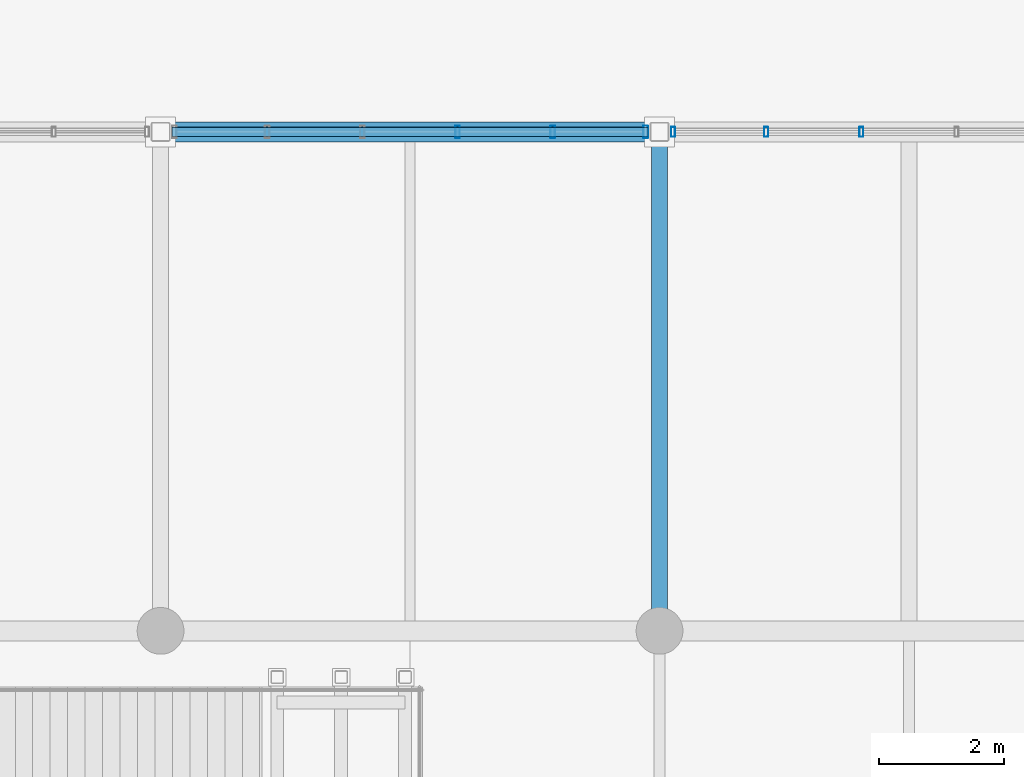
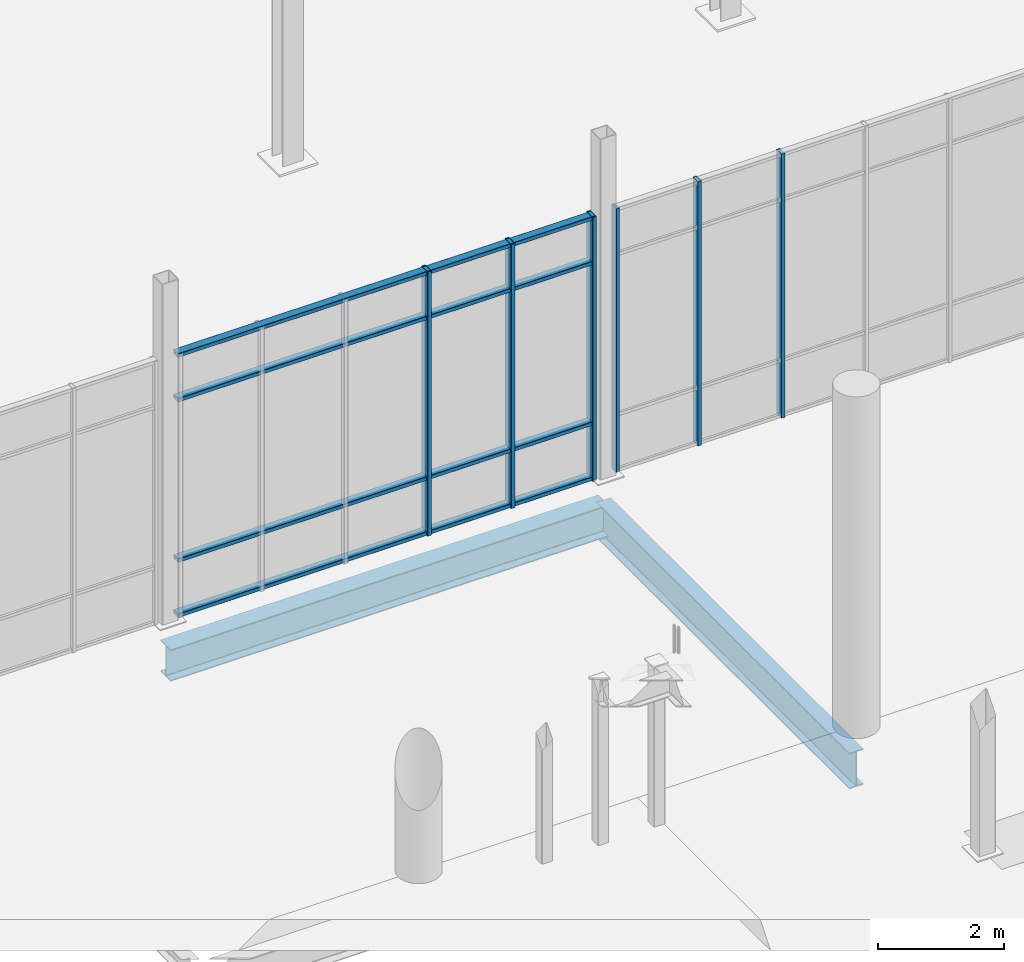
# One storey, part 37 of 140: 10 members, 2 beams, 2 elements without a shape of their own.
"""IFC4 building model written with IfcOpenShell, lengths in metres."""

from ifc_helpers import new_model, si_unit, direction, frame, origin, origin_2d, place, context, subcontext, project, spatial, hollow_rectangle, i_section, extrude, material, material_profile, profile_set, type_object, element, aggregate, save


model = new_model("IFC4")

# Units and contexts
model_context = context("Model", 3, precision=1e-05, world=origin(), true_north=direction((0.0, 1.0)))
body_context = subcontext(model_context, "Body", "Model", "MODEL_VIEW")
ifc_project = project(units=[si_unit("LENGTHUNIT", "METRE"), si_unit("AREAUNIT", "SQUARE_METRE"), si_unit("VOLUMEUNIT", "CUBIC_METRE"), si_unit("PLANEANGLEUNIT", "RADIAN"), si_unit("MASSUNIT", "GRAM", prefix="KILO")], contexts=[model_context])

# Site, building, storey
site_placement = place(None, origin())
site = spatial("IfcSite", under=ifc_project, at=site_placement, CompositionType="ELEMENT")
building_placement = place(site_placement, origin())
building = spatial("IfcBuilding", under=site, at=building_placement, Name="Verrall Gate Interchange", CompositionType="ELEMENT")
storey_placement = place(building_placement, origin())
storey = spatial("IfcBuildingStorey", under=building, at=storey_placement, Name="L01", CompositionType="ELEMENT", Elevation=0.0)

# Beams
ifc_material_1 = material(Name="Structural Steel CSA G40.21 350WT Cat 4", Category="steel")
ifc_material_profile_1 = material_profile(ifc_material_1, i_section(OverallWidth=0.256103515625, OverallDepth=0.693115234375, WebThickness=0.01318359375, FlangeThickness=0.02001953125, FilletRadius=0.01611328125, at=origin_2d()), Name="W690x170")
ifc_profile_set_1 = profile_set([ifc_material_profile_1], Name="Structural Steel CSA G40.21 350WT Cat 4")
beam_type_1 = type_object("IfcBeamType", Name="B-07 Structural Beam W690x170", PredefinedType="BEAM", material=ifc_profile_set_1)
beam_1_placement = place(storey_placement, frame((76.0, 48.0, -0.846435546875), z_axis=(0.0, 1.0, 0.0), x_axis=(-1.0, 0.0, 0.0)))
element("IfcBeam", 1, at=beam_1_placement, inside=storey, type_object=beam_type_1, Name="L01 Girder BM-L01-1136 (B-07)", PredefinedType="BEAM", context=body_context, shape_type="SweptSolid", body=[
    extrude(i_section(OverallWidth=0.256103515625, OverallDepth=0.693115234375, WebThickness=0.01318359375, FlangeThickness=0.02001953125, FilletRadius=0.01611328125, at=origin_2d()), origin(), (0.0, 0.0, 1.0), 8.0),
])
ifc_material_2 = material(Name="Structural Steel CSA G40.21 350WT Cat 4", Category="steel")
ifc_material_profile_2 = material_profile(ifc_material_2, i_section(OverallWidth=0.323974609375, OverallDepth=0.611083984375, WebThickness=0.0126953125, FlangeThickness=0.01904296875, FilletRadius=0.014892578125, at=origin_2d()), Name="W610x155")
ifc_profile_set_2 = profile_set([ifc_material_profile_2], Name="Structural Steel CSA G40.21 350WT Cat 4")
beam_type_2 = type_object("IfcBeamType", Name="B-08 Structural Beam W610x155", PredefinedType="BEAM", material=ifc_profile_set_2)
beam_2_placement = place(storey_placement, frame((68.0, 56.0, -0.805419921875), z_axis=(1.0, 0.0, 0.0), x_axis=(0.0, 1.0, 0.0)))
element("IfcBeam", 2, at=beam_2_placement, inside=storey, type_object=beam_type_2, Name="L01 Girder BM-L01-0943 (B-08)", PredefinedType="BEAM", context=body_context, shape_type="SweptSolid", body=[
    extrude(i_section(OverallWidth=0.323974609375, OverallDepth=0.611083984375, WebThickness=0.0126953125, FlangeThickness=0.01904296875, FilletRadius=0.014892578125, at=origin_2d()), origin(), (0.0, 0.0, 1.0), 8.0),
])

# Curtain wall, members
ifc_material_3 = material(Name="Thermally Broken Anodized Aluminium Curtain Wall Framing", Category="aluminium")
curtain_wall_type = type_object("IfcCurtainWallType", Name="CW-06 Unitized Curtain Wall 7631x5100", PredefinedType="NOTDEFINED", material=ifc_material_3)
curtain_wall_1_placement = place(storey_placement, origin())
curtain_wall_1 = element("IfcCurtainWall", 3, at=curtain_wall_1_placement, inside=storey, type_object=curtain_wall_type, Name="L01 Unitized Curtain Wall CW-L01-018", PredefinedType="NOTDEFINED")
ifc_material_4 = material(Name="Thermally Broken Anodized Aluminium Curtain Wall Framing", Category="aluminium")
ifc_material_profile_3 = material_profile(ifc_material_4, hollow_rectangle(XDim=0.06494140625, YDim=0.159912109375, WallThickness=0.00390625, InnerFilletRadius=0.00390625, OuterFilletRadius=0.008056640625, at=origin_2d()), Name="CWM160x65x4")
ifc_profile_set_3 = profile_set([ifc_material_profile_3], Name="Thermally Broken Anodized Aluminium Curtain Wall Framing")
member_type_1 = type_object("IfcMemberType", Name="CM-01 Curtain Mullion CWM160x65x4", PredefinedType="MULLION", material=ifc_profile_set_3)
member_1_placement = place(storey_placement, frame((79.23681640625, 56.0, 0.0), z_axis=(0.0, 0.0, 1.0), x_axis=(-1.0, 0.0, 0.0)))
member_1 = element("IfcMember", 4, at=member_1_placement, type_object=member_type_1, Name="CW-L01-018 Mullion 4", PredefinedType="MULLION", context=body_context, shape_type="SweptSolid", body=[
    extrude(hollow_rectangle(XDim=0.06494140625, YDim=0.159912109375, WallThickness=0.00390625, InnerFilletRadius=0.00390625, OuterFilletRadius=0.008056640625, at=origin_2d()), origin(), (0.0, 0.0, 1.0), 5.10009765625),
])
member_2_placement = place(storey_placement, frame((77.710693359375, 56.0, 0.0), z_axis=(0.0, 0.0, 1.0), x_axis=(-1.0, 0.0, 0.0)))
member_2 = element("IfcMember", 5, at=member_2_placement, type_object=member_type_1, Name="CW-L01-018 Mullion 5", PredefinedType="MULLION", context=body_context, shape_type="SweptSolid", body=[
    extrude(hollow_rectangle(XDim=0.06494140625, YDim=0.159912109375, WallThickness=0.00390625, InnerFilletRadius=0.00390625, OuterFilletRadius=0.008056640625, at=origin_2d()), origin(), (0.0, 0.0, 1.0), 5.10009765625),
])
member_3_placement = place(storey_placement, frame((76.217041015625, 56.0, 0.0), z_axis=(0.0, 0.0, 1.0), x_axis=(-1.0, 0.0, 0.0)))
member_3 = element("IfcMember", 6, at=member_3_placement, type_object=member_type_1, Name="CW-L01-018 Mullion 6", PredefinedType="MULLION", context=body_context, shape_type="SweptSolid", body=[
    extrude(hollow_rectangle(XDim=0.06494140625, YDim=0.159912109375, WallThickness=0.00390625, InnerFilletRadius=0.00390625, OuterFilletRadius=0.008056640625, at=origin_2d()), origin(), (0.0, 0.0, 1.0), 5.10009765625),
])
aggregate(curtain_wall_1, [member_1, member_2, member_3])

curtain_wall_2_placement = place(storey_placement, origin())
curtain_wall_2 = element("IfcCurtainWall", 7, at=curtain_wall_2_placement, inside=storey, type_object=curtain_wall_type, Name="L01 Unitized Curtain Wall CW-L01-019", PredefinedType="NOTDEFINED")
ifc_material_5 = material(Name="Thermally Broken Anodized Aluminium Curtain Wall Framing", Category="aluminium")
ifc_material_profile_4 = material_profile(ifc_material_5, hollow_rectangle(XDim=0.074951171875, YDim=0.199951171875, WallThickness=0.0048828125, InnerFilletRadius=0.0048828125, OuterFilletRadius=0.010009765625, at=origin_2d()), Name="CWM200x75x5")
ifc_profile_set_4 = profile_set([ifc_material_profile_4], Name="Thermally Broken Anodized Aluminium Curtain Wall Framing")
member_type_2 = type_object("IfcMemberType", Name="CM-02 Curtain Mullion CWM200x75x5", PredefinedType="MULLION", material=ifc_profile_set_4)
member_4_placement = place(storey_placement, frame((75.778076171875, 56.0, 0.0), z_axis=(0.0, 0.0, 1.0), x_axis=(-1.0, 0.0, 0.0)))
member_4 = element("IfcMember", 8, at=member_4_placement, type_object=member_type_2, Name="CW-L01-019 Mullion 1", PredefinedType="MULLION", context=body_context, shape_type="SweptSolid", body=[
    extrude(hollow_rectangle(XDim=0.074951171875, YDim=0.199951171875, WallThickness=0.0048828125, InnerFilletRadius=0.0048828125, OuterFilletRadius=0.010009765625, at=origin_2d()), origin(), (0.0, 0.0, 1.0), 5.10009765625),
])
member_5_placement = place(storey_placement, frame((74.289306640625, 56.0, 0.0), z_axis=(0.0, 0.0, 1.0), x_axis=(-1.0, 0.0, 0.0)))
member_5 = element("IfcMember", 9, at=member_5_placement, type_object=member_type_2, Name="CW-L01-019 Mullion 2", PredefinedType="MULLION", context=body_context, shape_type="SweptSolid", body=[
    extrude(hollow_rectangle(XDim=0.074951171875, YDim=0.199951171875, WallThickness=0.0048828125, InnerFilletRadius=0.0048828125, OuterFilletRadius=0.010009765625, at=origin_2d()), origin(), (0.0, 0.0, 1.0), 5.10009765625),
])
member_6_placement = place(storey_placement, frame((72.76318359375, 56.0, 0.0), z_axis=(0.0, 0.0, 1.0), x_axis=(-1.0, 0.0, 0.0)))
member_6 = element("IfcMember", 10, at=member_6_placement, type_object=member_type_2, Name="CW-L01-019 Mullion 3", PredefinedType="MULLION", context=body_context, shape_type="SweptSolid", body=[
    extrude(hollow_rectangle(XDim=0.074951171875, YDim=0.199951171875, WallThickness=0.0048828125, InnerFilletRadius=0.0048828125, OuterFilletRadius=0.010009765625, at=origin_2d()), origin(), (0.0, 0.0, 1.0), 5.10009765625),
])
ifc_material_6 = material(Name="Thermally Broken Anodized Aluminium Curtain Wall Framing", Category="aluminium")
ifc_material_profile_5 = material_profile(ifc_material_6, hollow_rectangle(XDim=0.14990234375, YDim=0.074951171875, WallThickness=0.00439453125, InnerFilletRadius=0.00439453125, OuterFilletRadius=0.009033203125, at=origin_2d()), Name="CWT150x75x4.5")
ifc_profile_set_5 = profile_set([ifc_material_profile_5], Name="Thermally Broken Anodized Aluminium Curtain Wall Framing")
member_type_3 = type_object("IfcMemberType", Name="CT-02 Curtain Transom CWT150x75x4.5", PredefinedType="USERDEFINED", material=ifc_profile_set_5)
member_7_placement = place(storey_placement, frame((75.8154296875, 56.0, 0.03759765625), z_axis=(-1.0, 0.0, 0.0), x_axis=(0.0, -1.0, 0.0)))
member_7 = element("IfcMember", 11, at=member_7_placement, type_object=member_type_3, Name="CW-L01-019 Transom 1", ObjectType="TRANSOM", PredefinedType="USERDEFINED", context=body_context, shape_type="SweptSolid", body=[
    extrude(hollow_rectangle(XDim=0.14990234375, YDim=0.074951171875, WallThickness=0.00439453125, InnerFilletRadius=0.00439453125, OuterFilletRadius=0.009033203125, at=origin_2d()), origin(), (0.0, 0.0, 1.0), 7.630859375),
])
member_8_placement = place(storey_placement, frame((75.8154296875, 56.0, 1.10009765625), z_axis=(-1.0, 0.0, 0.0), x_axis=(0.0, -1.0, 0.0)))
member_8 = element("IfcMember", 12, at=member_8_placement, type_object=member_type_3, Name="CW-L01-019 Transom 2", ObjectType="TRANSOM", PredefinedType="USERDEFINED", context=body_context, shape_type="SweptSolid", body=[
    extrude(hollow_rectangle(XDim=0.14990234375, YDim=0.074951171875, WallThickness=0.00439453125, InnerFilletRadius=0.00439453125, OuterFilletRadius=0.009033203125, at=origin_2d()), origin(), (0.0, 0.0, 1.0), 7.630859375),
])
member_9_placement = place(storey_placement, frame((75.8154296875, 56.0, 4.199951171875), z_axis=(-1.0, 0.0, 0.0), x_axis=(0.0, -1.0, 0.0)))
member_9 = element("IfcMember", 13, at=member_9_placement, type_object=member_type_3, Name="CW-L01-019 Transom 3", ObjectType="TRANSOM", PredefinedType="USERDEFINED", context=body_context, shape_type="SweptSolid", body=[
    extrude(hollow_rectangle(XDim=0.14990234375, YDim=0.074951171875, WallThickness=0.00439453125, InnerFilletRadius=0.00439453125, OuterFilletRadius=0.009033203125, at=origin_2d()), origin(), (0.0, 0.0, 1.0), 7.630859375),
])
member_10_placement = place(storey_placement, frame((75.8154296875, 56.0, 5.0625), z_axis=(-1.0, 0.0, 0.0), x_axis=(0.0, -1.0, 0.0)))
member_10 = element("IfcMember", 14, at=member_10_placement, type_object=member_type_3, Name="CW-L01-019 Transom 4", ObjectType="TRANSOM", PredefinedType="USERDEFINED", context=body_context, shape_type="SweptSolid", body=[
    extrude(hollow_rectangle(XDim=0.14990234375, YDim=0.074951171875, WallThickness=0.00439453125, InnerFilletRadius=0.00439453125, OuterFilletRadius=0.009033203125, at=origin_2d()), origin(), (0.0, 0.0, 1.0), 7.630859375),
])
aggregate(curtain_wall_2, [member_4, member_5, member_6, member_7, member_8, member_9, member_10])

save(model, "model.ifc")
